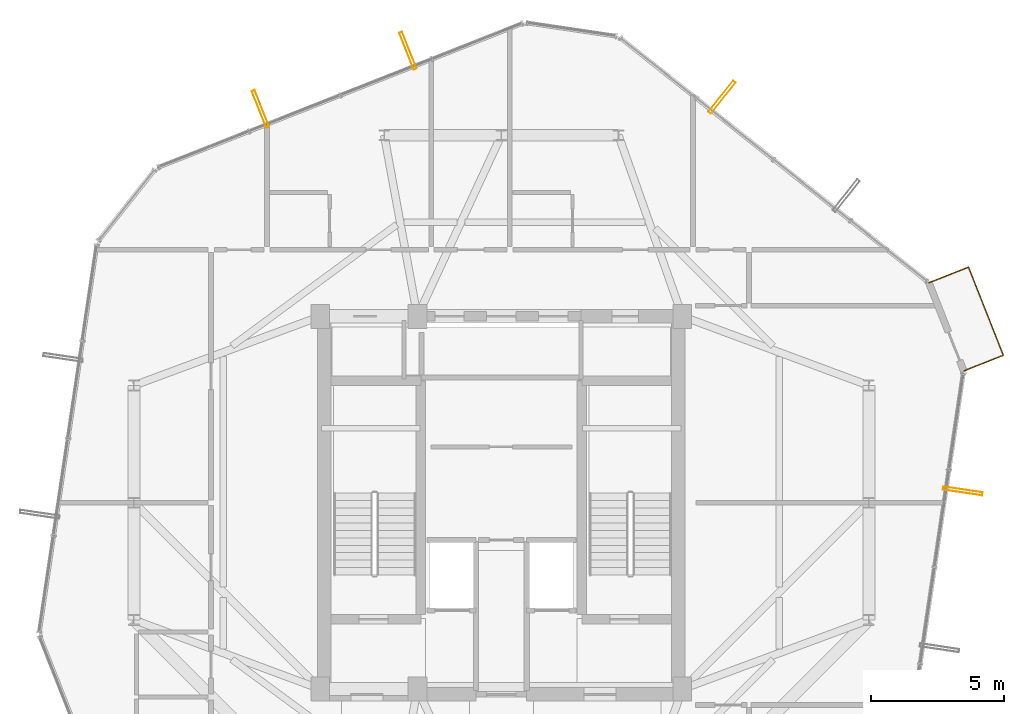
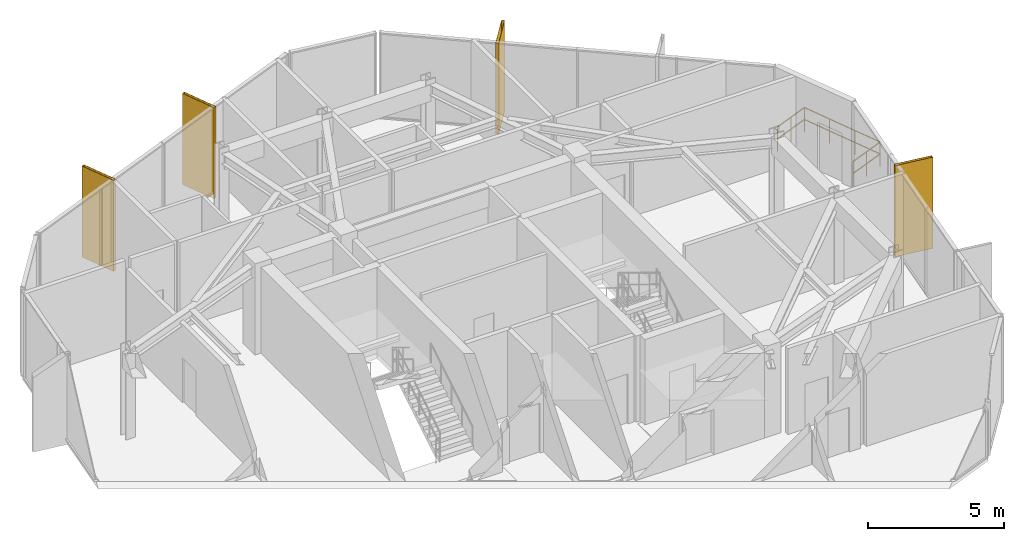
# One storey, part 22 of 22: 4 shading devices, 1 railing.
"""IFC4 building model written with IfcOpenShell, lengths in metres."""

from ifc_helpers import new_model, si_unit, direction, frame, origin, origin_2d, place, context, subcontext, project, spatial, hollow_rectangle, circle, extrude, material, material_profile, profile_set, type_object, element, save


model = new_model("IFC4")

# Units and contexts
model_context = context("Model", 3, precision=1e-05, world=origin(), true_north=direction((0.0, 1.0)))
body_context = subcontext(model_context, "Body", "Model", "MODEL_VIEW")
ifc_project = project(units=[si_unit("LENGTHUNIT", "METRE"), si_unit("AREAUNIT", "SQUARE_METRE"), si_unit("VOLUMEUNIT", "CUBIC_METRE"), si_unit("PLANEANGLEUNIT", "RADIAN"), si_unit("MASSUNIT", "GRAM", prefix="KILO")], contexts=[model_context])

# Site, building, storey
site_placement = place(None, origin())
site = spatial("IfcSite", under=ifc_project, at=site_placement, CompositionType="ELEMENT")
building_placement = place(site_placement, origin())
building = spatial("IfcBuilding", under=site, at=building_placement, Name="Veraguas Prism Commons", CompositionType="ELEMENT")
storey_placement = place(building_placement, frame((0.0, 0.0, 236.550048828125)))
storey = spatial("IfcBuildingStorey", under=building, at=storey_placement, Name="L67", CompositionType="ELEMENT", Elevation=236.550048828125)

# Shading devices
ifc_material_1 = material(Name="Anodised aluminium EN AW-6063 T6", Category="aluminium")
ifc_material_profile = material_profile(ifc_material_1, hollow_rectangle(XDim=0.1201171875, YDim=1.489990234375, WallThickness=0.006103515625, at=origin_2d()), Name="FIN120X1490X6")
ifc_profile_set = profile_set([ifc_material_profile], Name="Anodised aluminium EN AW-6063 T6")
shading_device_type = type_object("IfcShadingDeviceType", Name="Deep Pale-Metal Vertical Solar Fin 120x1490", PredefinedType="USERDEFINED", material=ifc_profile_set)
for number, where, z_axis, x_axis, name in (
    (1, (32.2861328125, 39.228515625, -0.215087890625), (0.0, 0.0, 1.0), (-0.783259623423, 0.62169475011, 0.0), "Vertical Pale-Metal Solar Fin L67-F1B"),
    (2, (20.49267578125, 40.978515625, -0.215087890625), (0.0, 0.0, 1.0), (-0.93003261734, -0.367476979802, 0.0), "Vertical Pale-Metal Solar Fin L67-F2A"),
    (3, (14.954833984375, 38.790283203125, -0.215087890625), (0.0, 0.0, 1.0), (-0.93003261734, -0.367476979802, 0.0), "Vertical Pale-Metal Solar Fin L67-F2B"),
    (4, (41.33154296875, 24.438232421875, -0.215087890625), (0.0, 0.0, 1.0), (0.146771908855, 0.989170362865, 0.0), "Vertical Pale-Metal Solar Fin L67-F6B"),
):
    element("IfcShadingDevice", number, at=place(storey_placement, frame(where, z_axis=z_axis, x_axis=x_axis)), inside=storey, type_object=shading_device_type, Name=name, ObjectType="FIN", PredefinedType="USERDEFINED", context=body_context, shape_type="SweptSolid", body=[
        extrude(hollow_rectangle(XDim=0.1201171875, YDim=1.489990234375, WallThickness=0.006103515625, at=origin_2d()), origin(), (0.0, 0.0, 1.0), 4.10009765625),
    ])

# Railing
ifc_material_2 = material(Name="Stainless steel AISI 316", Category="steel")
railing_type = type_object("IfcRailingType", Name="Loggia and Sky Pool Glazed Balustrade 1120", PredefinedType="BALUSTRADE", material=ifc_material_2)
railing_placement = place(storey_placement, frame((41.36865234375, 28.947509765625, 0.0)))
element("IfcRailing", 5, at=railing_placement, inside=storey, type_object=railing_type, Name="Recessed Corner Loggia L67-C1 Guard", PredefinedType="BALUSTRADE", context=body_context, shape_type="SweptSolid", body=[
    extrude(circle(Radius=0.02392578125, at=origin_2d()), frame((0.0, 0.0, 1.09619140625), z_axis=(0.930046839767, 0.367440982799, 0.0), x_axis=(-0.367440982799, 0.930046839767, 0.0)), (0.0, 0.0, 1.0), 1.599853515625),
    extrude(circle(Radius=0.02392578125, at=origin_2d()), frame((0.0, 0.0, 0.56005859375), z_axis=(0.930046839767, 0.367440982799, 0.0), x_axis=(-0.367440982799, 0.930046839767, 0.0)), (0.0, 0.0, 1.0), 1.599853515625),
    extrude(circle(Radius=0.02392578125, at=origin_2d()), frame((1.488037109375, 0.587890625, 1.09619140625), z_axis=(-0.367464538526, 0.930037533074, 0.0), x_axis=(-0.930037533074, -0.367464538526, 0.0)), (0.0, 0.0, 1.0), 3.5625),
    extrude(circle(Radius=0.02392578125, at=origin_2d()), frame((1.488037109375, 0.587890625, 0.56005859375), z_axis=(-0.367464538526, 0.930037533074, 0.0), x_axis=(-0.930037533074, -0.367464538526, 0.0)), (0.0, 0.0, 1.0), 3.5625),
    extrude(circle(Radius=0.02392578125, at=origin_2d()), frame((0.178955078125, 3.901123046875, 1.09619140625), z_axis=(-0.930046839767, -0.367440982799, 0.0), x_axis=(0.367440982799, -0.930046839767, 0.0)), (0.0, 0.0, 1.0), 1.599853515625),
    extrude(circle(Radius=0.02392578125, at=origin_2d()), frame((0.178955078125, 3.901123046875, 0.56005859375), z_axis=(-0.930046839767, -0.367440982799, 0.0), x_axis=(0.367440982799, -0.930046839767, 0.0)), (0.0, 0.0, 1.0), 1.599853515625),
    extrude(circle(Radius=0.02099609375, at=origin_2d()), origin(), (0.0, 0.0, 1.0), 1.072021484375),
    extrude(circle(Radius=0.02099609375, at=origin_2d()), frame((0.744140625, 0.2939453125, 0.0)), (0.0, 0.0, 1.0), 1.072021484375),
    extrude(circle(Radius=0.02099609375, at=origin_2d()), frame((1.488037109375, 0.587890625, 0.0)), (0.0, 0.0, 1.0), 1.072021484375),
    extrude(circle(Radius=0.02099609375, at=origin_2d()), frame((1.0517578125, 1.6923828125, 0.0)), (0.0, 0.0, 1.0), 1.072021484375),
    extrude(circle(Radius=0.02099609375, at=origin_2d()), frame((0.615234375, 2.796630859375, 0.0)), (0.0, 0.0, 1.0), 1.072021484375),
    extrude(circle(Radius=0.02099609375, at=origin_2d()), frame((0.178955078125, 3.901123046875, 0.0)), (0.0, 0.0, 1.0), 1.072021484375),
    extrude(circle(Radius=0.02099609375, at=origin_2d()), frame((-0.56494140625, 3.607177734375, 0.0)), (0.0, 0.0, 1.0), 1.072021484375),
    extrude(circle(Radius=0.02099609375, at=origin_2d()), frame((-1.30908203125, 3.313232421875, 0.0)), (0.0, 0.0, 1.0), 1.072021484375),
])

save(model, "model.ifc")
